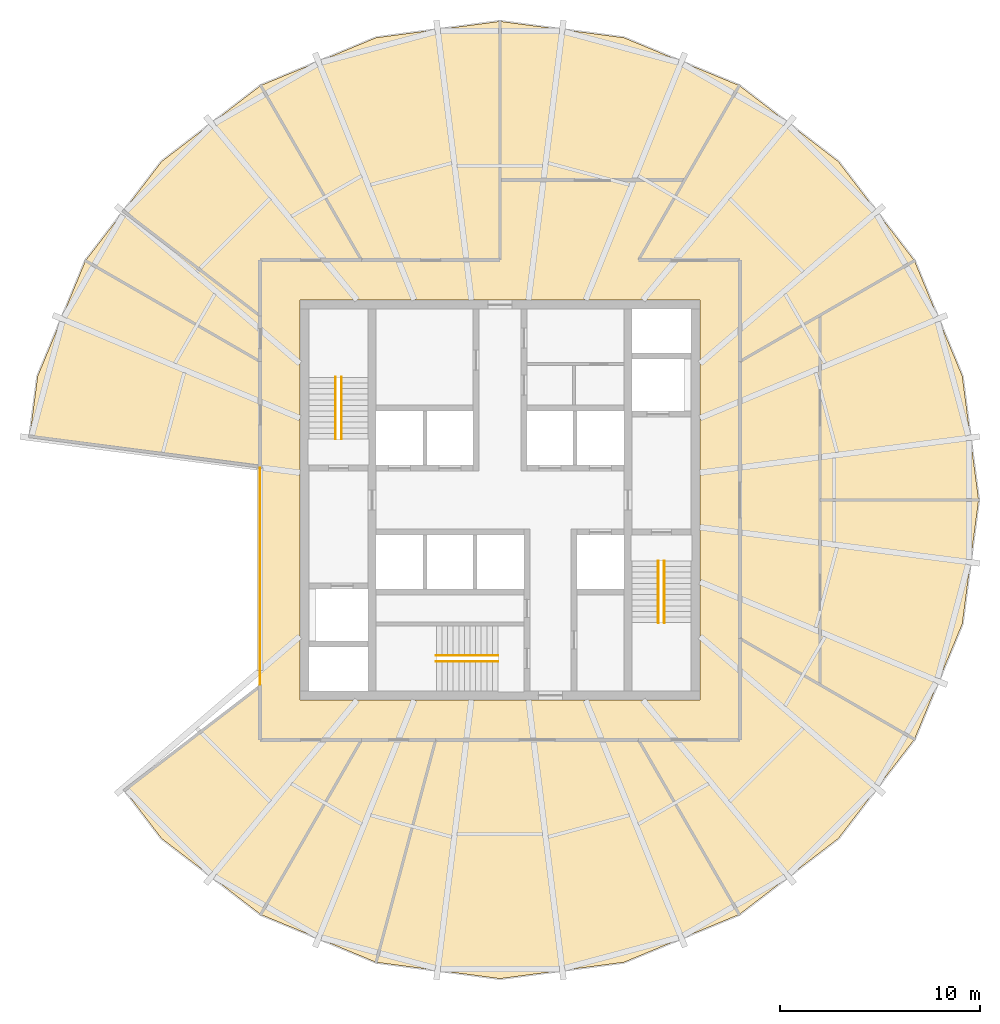
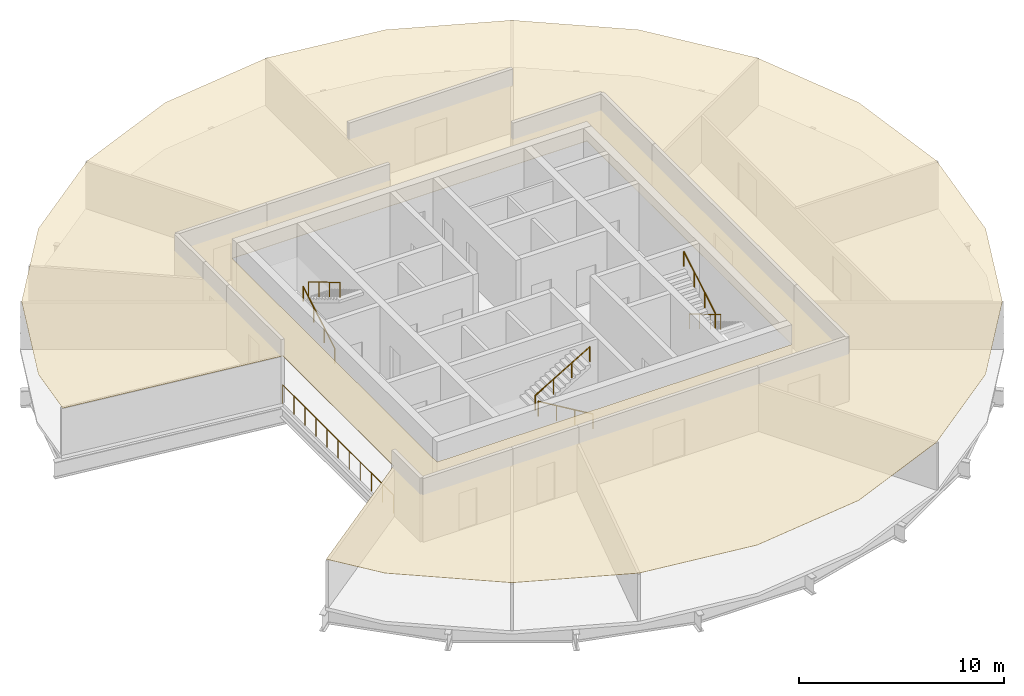
# One storey, part 5 of 5: 7 railings, 1 covering.
"""IFC4 building model written with IfcOpenShell, lengths in metres."""

from ifc_helpers import new_model, si_unit, direction, frame, origin, origin_2d, place, context, subcontext, project, spatial, polyline, circle, outline, extrude, material, layer, layer_set, type_object, element, save


model = new_model("IFC4")

# Units and contexts
model_context = context("Model", 3, precision=1e-05, world=origin(), true_north=direction((0.0, 1.0)))
body_context = subcontext(model_context, "Body", "Model", "MODEL_VIEW")
ifc_project = project(units=[si_unit("LENGTHUNIT", "METRE"), si_unit("AREAUNIT", "SQUARE_METRE"), si_unit("VOLUMEUNIT", "CUBIC_METRE"), si_unit("PLANEANGLEUNIT", "RADIAN"), si_unit("MASSUNIT", "GRAM", prefix="KILO")], contexts=[model_context])

# Site, building, storey
site_placement = place(None, origin())
site = spatial("IfcSite", under=ifc_project, at=site_placement, CompositionType="ELEMENT")
building_placement = place(site_placement, origin())
building = spatial("IfcBuilding", under=site, at=building_placement, Name="Golbaran Civic Tower", CompositionType="ELEMENT")
storey_placement = place(building_placement, frame((0.0, 0.0, 175.0)))
storey = spatial("IfcBuildingStorey", under=building, at=storey_placement, Name="L42", CompositionType="ELEMENT", Elevation=175.0)

# Railings
ifc_material_1 = material(Name="Laminated glass, steel shoe", Category="steel")
railing_type_1 = type_object("IfcRailingType", Name="GLASS BALUSTRADE 1100", PredefinedType="GUARDRAIL", material=ifc_material_1)
railing_1_placement = place(storey_placement, frame((-12.0, 1.586669921875, 0.0)))
element("IfcRailing", 1, at=railing_1_placement, inside=storey, type_object=railing_type_1, Name="Sky garden void guard L42", PredefinedType="GUARDRAIL", context=body_context, shape_type="SweptSolid", body=[
    extrude(circle(Radius=0.02392578125, at=origin_2d()), frame((0.0, 0.0, 1.076171875), z_axis=(0.0, -1.0, 0.0), x_axis=(1.0, 0.0, 0.0)), (0.0, 0.0, 1.0), 10.805419921875),
    extrude(circle(Radius=0.02099609375, at=origin_2d()), origin(), (0.0, 0.0, 1.0), 1.052001953125),
    extrude(circle(Radius=0.02099609375, at=origin_2d()), frame((0.0, -1.08056640625, 0.0)), (0.0, 0.0, 1.0), 1.052001953125),
    extrude(circle(Radius=0.02099609375, at=origin_2d()), frame((0.0, -2.1611328125, 0.0)), (0.0, 0.0, 1.0), 1.052001953125),
    extrude(circle(Radius=0.02099609375, at=origin_2d()), frame((0.0, -3.24169921875, 0.0)), (0.0, 0.0, 1.0), 1.052001953125),
    extrude(circle(Radius=0.02099609375, at=origin_2d()), frame((0.0, -4.322265625, 0.0)), (0.0, 0.0, 1.0), 1.052001953125),
    extrude(circle(Radius=0.02099609375, at=origin_2d()), frame((0.0, -5.40283203125, 0.0)), (0.0, 0.0, 1.0), 1.052001953125),
    extrude(circle(Radius=0.02099609375, at=origin_2d()), frame((0.0, -6.483154296875, 0.0)), (0.0, 0.0, 1.0), 1.052001953125),
    extrude(circle(Radius=0.02099609375, at=origin_2d()), frame((0.0, -7.563720703125, 0.0)), (0.0, 0.0, 1.0), 1.052001953125),
    extrude(circle(Radius=0.02099609375, at=origin_2d()), frame((0.0, -8.644287109375, 0.0)), (0.0, 0.0, 1.0), 1.052001953125),
    extrude(circle(Radius=0.02099609375, at=origin_2d()), frame((0.0, -9.724853515625, 0.0)), (0.0, 0.0, 1.0), 1.052001953125),
    extrude(circle(Radius=0.02099609375, at=origin_2d()), frame((0.0, -10.805419921875, 0.0)), (0.0, 0.0, 1.0), 1.052001953125),
])
ifc_material_2 = material(Name="Stainless steel", Category="steel")
railing_type_2 = type_object("IfcRailingType", Name="STAIR HANDRAIL 900", PredefinedType="HANDRAIL", material=ifc_material_2)
railing_2_placement = place(storey_placement, frame((-8.22509765625, 3.050048828125, 0.166748046875)))
element("IfcRailing", 2, at=railing_2_placement, inside=storey, type_object=railing_type_2, Name="Stair S1 handrail flight 1 L42", PredefinedType="HANDRAIL", context=body_context, shape_type="SweptSolid", body=[
    extrude(circle(Radius=0.02392578125, at=origin_2d()), frame((0.0, 0.0, 0.8759765625), z_axis=(0.0, 0.859290745958, 0.51148745235), x_axis=(-1.0, 0.0, 0.0)), (0.0, 0.0, 1.0), 3.584228515625),
    extrude(circle(Radius=0.02099609375, at=origin_2d()), origin(), (0.0, 0.0, 1.0), 0.851806640625),
    extrude(circle(Radius=0.02099609375, at=origin_2d()), frame((0.0, 1.026611328125, 0.611083984375)), (0.0, 0.0, 1.0), 0.851806640625),
    extrude(circle(Radius=0.02099609375, at=origin_2d()), frame((0.0, 2.05322265625, 1.22216796875)), (0.0, 0.0, 1.0), 0.851806640625),
    extrude(circle(Radius=0.02099609375, at=origin_2d()), frame((0.0, 3.079833984375, 1.833251953125)), (0.0, 0.0, 1.0), 0.851806640625),
])
for number, where, name in (
    (3, (-7.925048828125, 6.1298828125, 2.166748046875), "Stair S1 handrail flight 2 L42"),
    (4, (8.22509765625, -3.050048828125, 0.166748046875), "Stair S2 handrail flight 1 L42"),
):
    element("IfcRailing", number, at=place(storey_placement, frame(where)), inside=storey, type_object=railing_type_2, Name=name, PredefinedType="HANDRAIL", context=body_context, shape_type="SweptSolid", body=[
        extrude(circle(Radius=0.02392578125, at=origin_2d()), frame((0.0, 0.0, 0.8759765625), z_axis=(0.0, -0.859290745958, 0.51148745235), x_axis=(1.0, 0.0, 0.0)), (0.0, 0.0, 1.0), 3.584228515625),
        extrude(circle(Radius=0.02099609375, at=origin_2d()), origin(), (0.0, 0.0, 1.0), 0.851806640625),
        extrude(circle(Radius=0.02099609375, at=origin_2d()), frame((0.0, -1.026611328125, 0.611083984375)), (0.0, 0.0, 1.0), 0.851806640625),
        extrude(circle(Radius=0.02099609375, at=origin_2d()), frame((0.0, -2.05322265625, 1.22216796875)), (0.0, 0.0, 1.0), 0.851806640625),
        extrude(circle(Radius=0.02099609375, at=origin_2d()), frame((0.0, -3.079833984375, 1.833251953125)), (0.0, 0.0, 1.0), 0.851806640625),
    ])
railing_3_placement = place(storey_placement, frame((7.925048828125, -6.1298828125, 2.166748046875)))
element("IfcRailing", 5, at=railing_3_placement, inside=storey, type_object=railing_type_2, Name="Stair S2 handrail flight 2 L42", PredefinedType="HANDRAIL", context=body_context, shape_type="SweptSolid", body=[
    extrude(circle(Radius=0.02392578125, at=origin_2d()), frame((0.0, 0.0, 0.8759765625), z_axis=(0.0, 0.859290745958, 0.51148745235), x_axis=(-1.0, 0.0, 0.0)), (0.0, 0.0, 1.0), 3.584228515625),
    extrude(circle(Radius=0.02099609375, at=origin_2d()), origin(), (0.0, 0.0, 1.0), 0.851806640625),
    extrude(circle(Radius=0.02099609375, at=origin_2d()), frame((0.0, 1.026611328125, 0.611083984375)), (0.0, 0.0, 1.0), 0.851806640625),
    extrude(circle(Radius=0.02099609375, at=origin_2d()), frame((0.0, 2.05322265625, 1.22216796875)), (0.0, 0.0, 1.0), 0.851806640625),
    extrude(circle(Radius=0.02099609375, at=origin_2d()), frame((0.0, 3.079833984375, 1.833251953125)), (0.0, 0.0, 1.0), 0.851806640625),
])
railing_4_placement = place(storey_placement, frame((-0.10009765625, -8.074951171875, 0.166748046875)))
element("IfcRailing", 6, at=railing_4_placement, inside=storey, type_object=railing_type_2, Name="Stair S3 handrail flight 1 L42", PredefinedType="HANDRAIL", context=body_context, shape_type="SweptSolid", body=[
    extrude(circle(Radius=0.02392578125, at=origin_2d()), frame((0.0, 0.0, 0.8759765625), z_axis=(-0.859290745958, 0.0, 0.51148745235), x_axis=(0.0, -1.0, 0.0)), (0.0, 0.0, 1.0), 3.584228515625),
    extrude(circle(Radius=0.02099609375, at=origin_2d()), origin(), (0.0, 0.0, 1.0), 0.851806640625),
    extrude(circle(Radius=0.02099609375, at=origin_2d()), frame((-1.026611328125, 0.0, 0.611083984375)), (0.0, 0.0, 1.0), 0.851806640625),
    extrude(circle(Radius=0.02099609375, at=origin_2d()), frame((-2.05322265625, 0.0, 1.22216796875)), (0.0, 0.0, 1.0), 0.851806640625),
    extrude(circle(Radius=0.02099609375, at=origin_2d()), frame((-3.079833984375, 0.0, 1.833251953125)), (0.0, 0.0, 1.0), 0.851806640625),
])
railing_5_placement = place(storey_placement, frame((-3.179931640625, -7.77490234375, 2.166748046875)))
element("IfcRailing", 7, at=railing_5_placement, inside=storey, type_object=railing_type_2, Name="Stair S3 handrail flight 2 L42", PredefinedType="HANDRAIL", context=body_context, shape_type="SweptSolid", body=[
    extrude(circle(Radius=0.02392578125, at=origin_2d()), frame((0.0, 0.0, 0.8759765625), z_axis=(0.859290745958, 0.0, 0.51148745235), x_axis=(0.0, 1.0, 0.0)), (0.0, 0.0, 1.0), 3.584228515625),
    extrude(circle(Radius=0.02099609375, at=origin_2d()), origin(), (0.0, 0.0, 1.0), 0.851806640625),
    extrude(circle(Radius=0.02099609375, at=origin_2d()), frame((1.026611328125, 0.0, 0.611083984375)), (0.0, 0.0, 1.0), 0.851806640625),
    extrude(circle(Radius=0.02099609375, at=origin_2d()), frame((2.05322265625, 0.0, 1.22216796875)), (0.0, 0.0, 1.0), 0.851806640625),
    extrude(circle(Radius=0.02099609375, at=origin_2d()), frame((3.079833984375, 0.0, 1.833251953125)), (0.0, 0.0, 1.0), 0.851806640625),
])

# Covering
ifc_material_3 = material(Name="Mineral fibre tile on steel grid", Category="steel")
ifc_layer = layer(ifc_material_3, 0.02001953125, Name="Mineral fibre tile on steel grid")
ifc_layer_set = layer_set([ifc_layer], Name="Mineral fibre tile on steel grid")
covering_type = type_object("IfcCoveringType", Name="SUSPENDED CEILING 600 TILE 20", PredefinedType="CEILING", material=ifc_layer_set)
covering_placement = place(storey_placement, frame((0.0, 0.0, 2.800048828125)))
element("IfcCovering", 8, at=covering_placement, inside=storey, type_object=covering_type, Name="Suspended ceiling L42", PredefinedType="CEILING", context=body_context, shape_type="SweptSolid", body=[
    extrude(outline(polyline([(-16.923095703125, 16.923095703125), (-11.966552734375, 20.7265625), (-6.1943359375, 23.117431640625), (0.0, 23.93310546875), (6.1943359375, 23.117431640625), (11.966552734375, 20.7265625), (16.923095703125, 16.923095703125), (20.7265625, 11.966552734375), (23.117431640625, 6.1943359375), (23.93310546875, 0.0), (23.117431640625, -6.1943359375), (20.7265625, -11.966552734375), (16.923095703125, -16.923095703125), (11.966552734375, -20.7265625), (6.1943359375, -23.117431640625), (0.0, -23.93310546875), (-6.1943359375, -23.117431640625), (-11.966552734375, -20.7265625), (-16.923095703125, -16.923095703125), (-18.816650390625, -14.45556640625), (-12.0, -9.21875), (-12.0, 1.586669921875), (-23.5234375, 3.110595703125), (-23.117431640625, 6.1943359375), (-20.7265625, 11.966552734375), (-16.923095703125, 16.923095703125)]), holes=[polyline([(10.0, 10.0), (-10.0, 10.0), (-10.0, -10.0), (10.0, -10.0), (10.0, 10.0)])]), origin(), (0.0, 0.0, 1.0), 0.02001953125),
])

save(model, "model.ifc")
